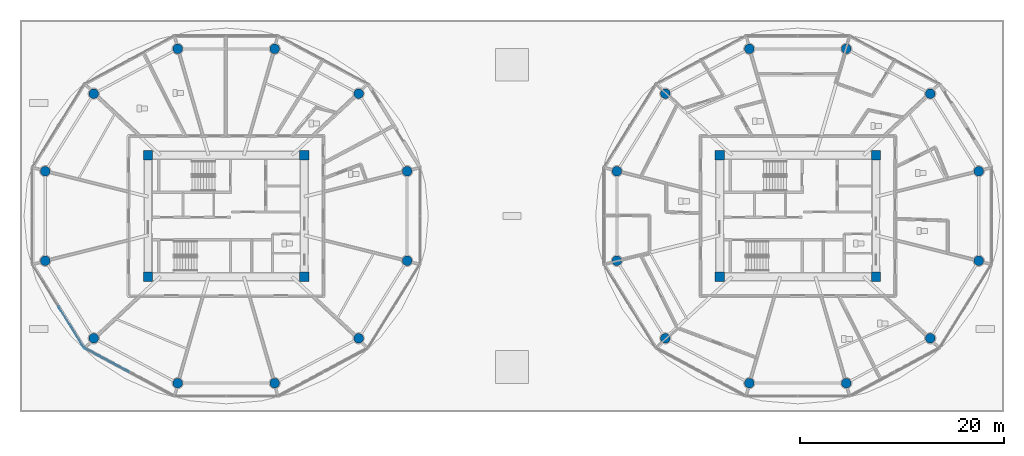
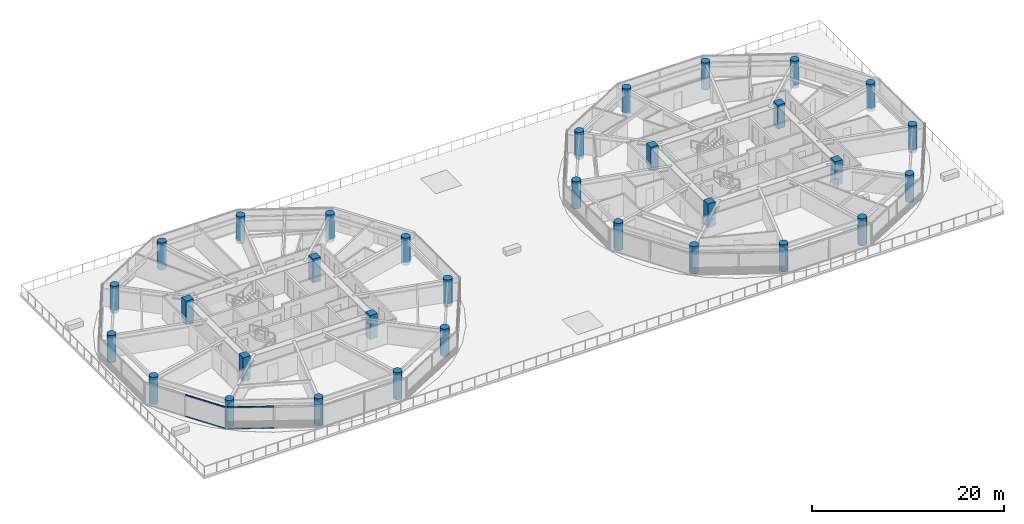
# One storey, part 1 of 32: 32 columns, 4 members, 2 elements without a shape of their own.
"""IFC4 building model written with IfcOpenShell, lengths in metres."""

from ifc_helpers import new_model, si_unit, direction, frame, origin, origin_2d, place, context, subcontext, project, spatial, rectangle, circle, extrude, source, transform, mapped, material, layer, layer_set, material_profile, profile_set, type_object, type_shapes, element, aggregate, save


model = new_model("IFC4")

# Units and contexts
model_context = context("Model", 3, precision=1e-05, world=origin(), true_north=direction((0.0, 1.0)))
body_context = subcontext(model_context, "Body", "Model", "MODEL_VIEW")
ifc_project = project(units=[si_unit("LENGTHUNIT", "METRE"), si_unit("AREAUNIT", "SQUARE_METRE"), si_unit("VOLUMEUNIT", "CUBIC_METRE"), si_unit("PLANEANGLEUNIT", "RADIAN"), si_unit("MASSUNIT", "GRAM", prefix="KILO")], contexts=[model_context])

# Site, building, storey
site_placement = place(None, origin())
site = spatial("IfcSite", under=ifc_project, at=site_placement, CompositionType="ELEMENT")
building_placement = place(site_placement, origin())
building = spatial("IfcBuilding", under=site, at=building_placement, Name="Norrkilde Senior Care Towers", CompositionType="ELEMENT")
storey_placement = place(building_placement, frame((0.0, 0.0, 21.60009765625)))
storey = spatial("IfcBuildingStorey", under=building, at=storey_placement, Name="L05", CompositionType="ELEMENT", Elevation=21.60009765625)

# Columns
ifc_material_1 = material(Name="Concrete C60/75", Category="concrete")
ifc_material_profile_1 = material_profile(ifc_material_1, rectangle(XDim=0.89990234375, YDim=0.89990234375, at=origin_2d()), Name="RC COL 900x900")
ifc_profile_set_1 = profile_set([ifc_material_profile_1], Name="Concrete C60/75")
column_type_1 = type_object("IfcColumnType", Name="Column Core Corner Z1-Z2 900", PredefinedType="COLUMN", material=ifc_profile_set_1)
shared_shape_1 = source(origin(), body_context, "Body", "SweptSolid", [
    extrude(rectangle(XDim=0.89990234375, YDim=0.89990234375, at=origin_2d()), origin(), (0.0, 0.0, 1.0), 3.0498046875),
])
type_shapes(column_type_1, [shared_shape_1])
for number, where, z_axis, x_axis, name in (
    (1, (-35.64990234375, -5.949951171875, 0.0), (0.0, 0.0, 1.0), (1.0, 0.0, 0.0), "L05 Core W Corner Column 1"),
    (2, (-20.35009765625, -5.949951171875, 0.0), (0.0, 0.0, 1.0), (1.0, 0.0, 0.0), "L05 Core W Corner Column 2"),
    (3, (-20.35009765625, 5.949951171875, 0.0), (0.0, 0.0, 1.0), (1.0, 0.0, 0.0), "L05 Core W Corner Column 3"),
    (4, (-35.64990234375, 5.949951171875, 0.0), (0.0, 0.0, 1.0), (1.0, 0.0, 0.0), "L05 Core W Corner Column 4"),
    (5, (20.35009765625, -5.949951171875, 0.0), (0.0, 0.0, 1.0), (1.0, 0.0, 0.0), "L05 Core E Corner Column 1"),
    (6, (35.64990234375, -5.949951171875, 0.0), (0.0, 0.0, 1.0), (1.0, 0.0, 0.0), "L05 Core E Corner Column 2"),
    (7, (35.64990234375, 5.949951171875, 0.0), (0.0, 0.0, 1.0), (1.0, 0.0, 0.0), "L05 Core E Corner Column 3"),
    (8, (20.35009765625, 5.949951171875, 0.0), (0.0, 0.0, 1.0), (1.0, 0.0, 0.0), "L05 Core E Corner Column 4"),
):
    element("IfcColumn", number, at=place(storey_placement, frame(where, z_axis=z_axis, x_axis=x_axis)), inside=storey, type_object=column_type_1, Name=name, PredefinedType="COLUMN", context=body_context, shape_type="MappedRepresentation", body=[
        mapped(shared_shape_1, transform((0.0, 0.0, 0.0), x_axis=(1.0, 0.0, 0.0), y_axis=(0.0, 1.0, 0.0), z_axis=(0.0, 0.0, 1.0), scale=1.0)),
    ])
ifc_material_profile_2 = material_profile(ifc_material_1, circle(Radius=0.47509765625, at=origin_2d()), Name="RC CIR 950")
ifc_profile_set_2 = profile_set([ifc_material_profile_2], Name="Concrete C60/75")
column_type_2 = type_object("IfcColumnType", Name="Column Perimeter Z1 950", PredefinedType="COLUMN", material=ifc_profile_set_2)
shared_shape_2 = source(origin(), body_context, "Body", "SweptSolid", [
    extrude(circle(Radius=0.47509765625, at=origin_2d()), origin(), (0.0, 0.0, 1.0), 3.469970703125),
])
type_shapes(column_type_2, [shared_shape_2])
for number, where, z_axis, x_axis, name in (
    (9, (-10.275146484375, 4.386962890625, -0.420166015625), (0.0, 0.0, 1.0), (1.0, 0.0, 0.0), "L05 Drum W Perimeter Column 01"),
    (10, (-15.024658203125, 11.9853515625, -0.420166015625), (0.0, 0.0, 1.0), (1.0, 0.0, 0.0), "L05 Drum W Perimeter Column 02"),
    (11, (-23.250732421875, 16.37255859375, -0.420166015625), (0.0, 0.0, 1.0), (1.0, 0.0, 0.0), "L05 Drum W Perimeter Column 03"),
    (12, (-32.749267578125, 16.37255859375, -0.420166015625), (0.0, 0.0, 1.0), (1.0, 0.0, 0.0), "L05 Drum W Perimeter Column 04"),
    (13, (-40.975341796875, 11.9853515625, -0.420166015625), (0.0, 0.0, 1.0), (1.0, 0.0, 0.0), "L05 Drum W Perimeter Column 05"),
    (14, (-45.724853515625, 4.386962890625, -0.420166015625), (0.0, 0.0, 1.0), (1.0, 0.0, 0.0), "L05 Drum W Perimeter Column 06"),
    (15, (-45.724853515625, -4.386962890625, -0.420166015625), (0.0, 0.0, 1.0), (1.0, 0.0, 0.0), "L05 Drum W Perimeter Column 07"),
    (16, (-40.975341796875, -11.9853515625, -0.420166015625), (0.0, 0.0, 1.0), (1.0, 0.0, 0.0), "L05 Drum W Perimeter Column 08"),
    (17, (-32.749267578125, -16.37255859375, -0.420166015625), (0.0, 0.0, 1.0), (1.0, 0.0, 0.0), "L05 Drum W Perimeter Column 09"),
    (18, (-23.250732421875, -16.37255859375, -0.420166015625), (0.0, 0.0, 1.0), (1.0, 0.0, 0.0), "L05 Drum W Perimeter Column 10"),
    (19, (-15.024658203125, -11.9853515625, -0.420166015625), (0.0, 0.0, 1.0), (1.0, 0.0, 0.0), "L05 Drum W Perimeter Column 11"),
    (20, (-10.275146484375, -4.386962890625, -0.420166015625), (0.0, 0.0, 1.0), (1.0, 0.0, 0.0), "L05 Drum W Perimeter Column 12"),
    (21, (45.724853515625, 4.386962890625, -0.420166015625), (0.0, 0.0, 1.0), (1.0, 0.0, 0.0), "L05 Drum E Perimeter Column 01"),
    (22, (40.975341796875, 11.9853515625, -0.420166015625), (0.0, 0.0, 1.0), (1.0, 0.0, 0.0), "L05 Drum E Perimeter Column 02"),
    (23, (32.749267578125, 16.37255859375, -0.420166015625), (0.0, 0.0, 1.0), (1.0, 0.0, 0.0), "L05 Drum E Perimeter Column 03"),
    (24, (23.250732421875, 16.37255859375, -0.420166015625), (0.0, 0.0, 1.0), (1.0, 0.0, 0.0), "L05 Drum E Perimeter Column 04"),
    (25, (15.024658203125, 11.9853515625, -0.420166015625), (0.0, 0.0, 1.0), (1.0, 0.0, 0.0), "L05 Drum E Perimeter Column 05"),
    (26, (10.275146484375, 4.386962890625, -0.420166015625), (0.0, 0.0, 1.0), (1.0, 0.0, 0.0), "L05 Drum E Perimeter Column 06"),
    (27, (10.275146484375, -4.386962890625, -0.420166015625), (0.0, 0.0, 1.0), (1.0, 0.0, 0.0), "L05 Drum E Perimeter Column 07"),
    (28, (15.024658203125, -11.9853515625, -0.420166015625), (0.0, 0.0, 1.0), (1.0, 0.0, 0.0), "L05 Drum E Perimeter Column 08"),
    (29, (23.250732421875, -16.37255859375, -0.420166015625), (0.0, 0.0, 1.0), (1.0, 0.0, 0.0), "L05 Drum E Perimeter Column 09"),
    (30, (32.749267578125, -16.37255859375, -0.420166015625), (0.0, 0.0, 1.0), (1.0, 0.0, 0.0), "L05 Drum E Perimeter Column 10"),
    (31, (40.975341796875, -11.9853515625, -0.420166015625), (0.0, 0.0, 1.0), (1.0, 0.0, 0.0), "L05 Drum E Perimeter Column 11"),
    (32, (45.724853515625, -4.386962890625, -0.420166015625), (0.0, 0.0, 1.0), (1.0, 0.0, 0.0), "L05 Drum E Perimeter Column 12"),
):
    element("IfcColumn", number, at=place(storey_placement, frame(where, z_axis=z_axis, x_axis=x_axis)), inside=storey, type_object=column_type_2, Name=name, PredefinedType="COLUMN", context=body_context, shape_type="MappedRepresentation", body=[
        mapped(shared_shape_2, transform((0.0, 0.0, 0.0), x_axis=(1.0, 0.0, 0.0), y_axis=(0.0, 1.0, 0.0), z_axis=(0.0, 0.0, 1.0), scale=1.0)),
    ])

# Curtain wall, members
ifc_material_2 = material(Name="Triple Low-E Insulated Glazing", Category="glass")
ifc_layer = layer(ifc_material_2, 0.199951171875)
ifc_layer_set = layer_set([ifc_layer], Name="Triple Low-E Insulated Glazing")
curtain_wall_type = type_object("IfcCurtainWallType", Name="CW2 Zone 1 Memory Care Curtain Wall", PredefinedType="NOTDEFINED", material=ifc_layer_set)
curtain_wall_1_placement = place(storey_placement, origin())
curtain_wall_1 = element("IfcCurtainWall", 33, at=curtain_wall_1_placement, inside=storey, type_object=curtain_wall_type, Name="L05 Drum W Curtain Wall 07", PredefinedType="NOTDEFINED")
ifc_material_3 = material(Name="Anodised Aluminium", Category="aluminium")
ifc_material_profile_3 = material_profile(ifc_material_3, rectangle(XDim=0.06005859375, YDim=0.1201171875, at=origin_2d()), Name="ALU TRAN 60x120")
ifc_profile_set_3 = profile_set([ifc_material_profile_3], Name="Anodised Aluminium")
member_type = type_object("IfcMemberType", Name="Curtain Wall Transom Typical 60x120", PredefinedType="USERDEFINED", material=ifc_profile_set_3)
shared_shape_3 = source(origin(), body_context, "Body", "SweptSolid", [
    extrude(rectangle(XDim=0.06005859375, YDim=0.1201171875, at=origin_2d()), origin(), (0.0, 0.0, 1.0), 4.907958984375),
])
member_1_placement = place(storey_placement, frame((-37.533447265625, -15.276123046875, 0.02978515625), z_axis=(-0.881266902561, 0.472618923077, 0.0), x_axis=(-0.472618923077, -0.881266902561, 0.0)))
member_1 = element("IfcMember", 34, at=member_1_placement, type_object=member_type, Name="CW-2 transom 2.1", ObjectType="TRANSOM", PredefinedType="USERDEFINED", context=body_context, shape_type="MappedRepresentation", body=[
    mapped(shared_shape_3, transform((0.0, 0.0, 0.0), x_axis=(1.0, 0.0, 0.0), y_axis=(0.0, 1.0, 0.0), z_axis=(0.0, 0.0, 1.0), scale=1.0)),
])
member_2_placement = place(storey_placement, frame((-37.533447265625, -15.276123046875, 2.760009765625), z_axis=(-0.881266902561, 0.472618923077, 0.0), x_axis=(-0.472618923077, -0.881266902561, 0.0)))
member_2 = element("IfcMember", 35, at=member_2_placement, type_object=member_type, Name="CW-2 transom 2.2", ObjectType="TRANSOM", PredefinedType="USERDEFINED", context=body_context, shape_type="MappedRepresentation", body=[
    mapped(shared_shape_3, transform((0.0, 0.0, 0.0), x_axis=(1.0, 0.0, 0.0), y_axis=(0.0, 1.0, 0.0), z_axis=(0.0, 0.0, 1.0), scale=1.0)),
])
aggregate(curtain_wall_1, [member_1, member_2])

curtain_wall_2_placement = place(storey_placement, origin())
curtain_wall_2 = element("IfcCurtainWall", 36, at=curtain_wall_2_placement, inside=storey, type_object=curtain_wall_type, Name="L05 Drum W Curtain Wall 06", PredefinedType="NOTDEFINED")
shared_shape_4 = source(origin(), body_context, "Body", "SweptSolid", [
    extrude(rectangle(XDim=0.06005859375, YDim=0.1201171875, at=origin_2d()), origin(), (0.0, 0.0, 1.0), 4.726806640625),
])
type_shapes(member_type, [shared_shape_3, shared_shape_4])
member_3_placement = place(storey_placement, frame((-41.9501953125, -12.87060546875, 0.02978515625), z_axis=(-0.527922038395, 0.849292836056, 0.0), x_axis=(-0.849292836056, -0.527922038395, 0.0)))
member_3 = element("IfcMember", 37, at=member_3_placement, type_object=member_type, Name="CW-2 transom 1.1", ObjectType="TRANSOM", PredefinedType="USERDEFINED", context=body_context, shape_type="MappedRepresentation", body=[
    mapped(shared_shape_4, transform((0.0, 0.0, 0.0), x_axis=(1.0, 0.0, 0.0), y_axis=(0.0, 1.0, 0.0), z_axis=(0.0, 0.0, 1.0), scale=1.0)),
])
member_4_placement = place(storey_placement, frame((-41.9501953125, -12.87060546875, 2.760009765625), z_axis=(-0.527922038395, 0.849292836056, 0.0), x_axis=(-0.849292836056, -0.527922038395, 0.0)))
member_4 = element("IfcMember", 38, at=member_4_placement, type_object=member_type, Name="CW-2 transom 1.2", ObjectType="TRANSOM", PredefinedType="USERDEFINED", context=body_context, shape_type="MappedRepresentation", body=[
    mapped(shared_shape_4, transform((0.0, 0.0, 0.0), x_axis=(1.0, 0.0, 0.0), y_axis=(0.0, 1.0, 0.0), z_axis=(0.0, 0.0, 1.0), scale=1.0)),
])
aggregate(curtain_wall_2, [member_3, member_4])

save(model, "model.ifc")
